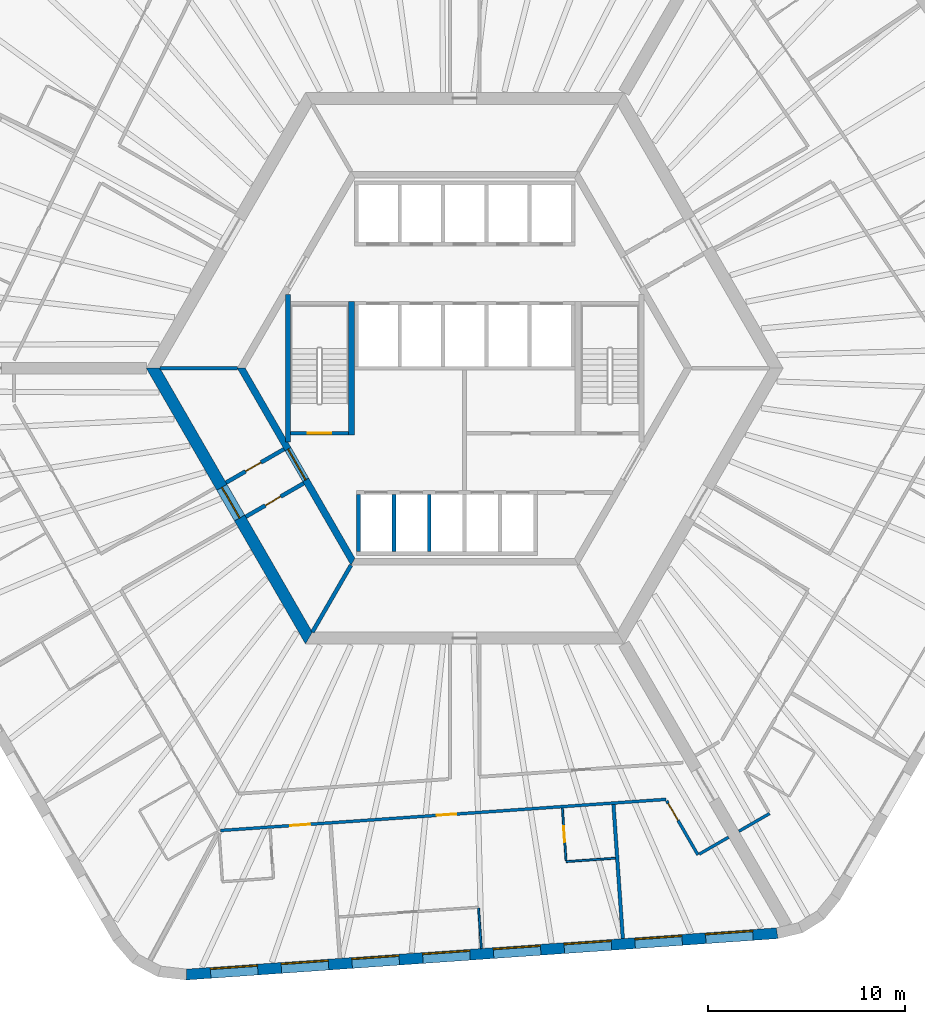
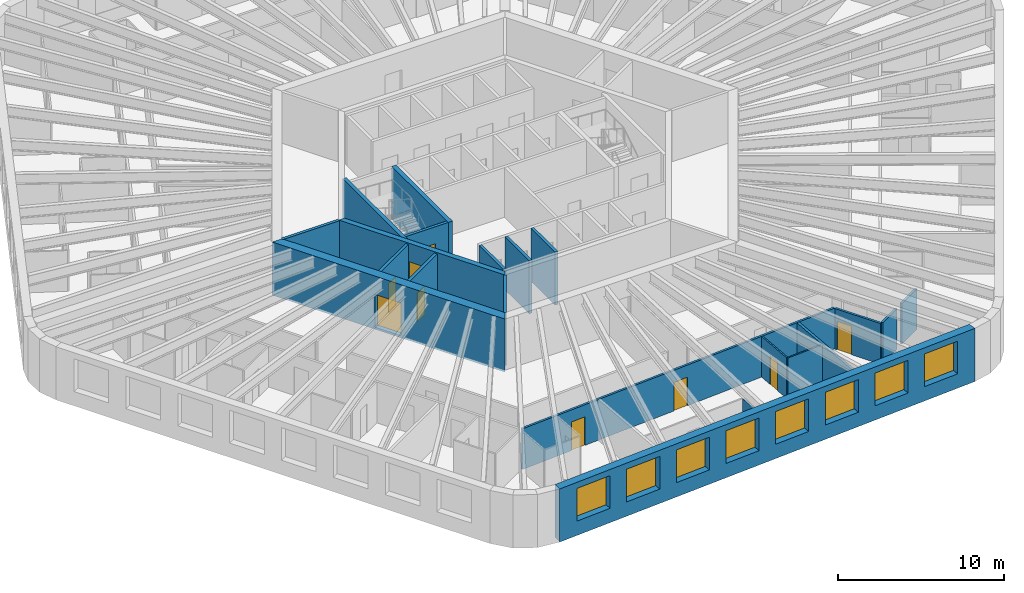
# One storey, part 4 of 12: 21 walls, 9 doors, 8 windows, 17 openings.
"""IFC4 building model written with IfcOpenShell, lengths in metres."""

from ifc_helpers import new_model, si_unit, direction, frame, frame_2d, origin, place, context, subcontext, project, spatial, polyline, rectangle, outline, extrude, material, layer, layer_set, type_object, element, fill, save


model = new_model("IFC4")

# Units and contexts
model_context = context("Model", 3, precision=1e-05, world=origin(), true_north=direction((0.0, 1.0)))
body_context = subcontext(model_context, "Body", "Model", "MODEL_VIEW")
ifc_project = project(units=[si_unit("LENGTHUNIT", "METRE"), si_unit("AREAUNIT", "SQUARE_METRE"), si_unit("VOLUMEUNIT", "CUBIC_METRE"), si_unit("PLANEANGLEUNIT", "RADIAN"), si_unit("MASSUNIT", "GRAM", prefix="KILO")], contexts=[model_context])

# Site, building, storey
site_placement = place(None, origin())
site = spatial("IfcSite", under=ifc_project, at=site_placement, CompositionType="ELEMENT")
building_placement = place(site_placement, origin())
building = spatial("IfcBuilding", under=site, at=building_placement, Name="Tarnside Tower", CompositionType="ELEMENT")
storey_placement = place(building_placement, frame((0.0, 0.0, 53.10009765625)))
storey = spatial("IfcBuildingStorey", under=building, at=storey_placement, Name="L10", CompositionType="ELEMENT", Elevation=53.10009765625)

# Wall
ifc_material_1 = material(Name="Gypsum board partition on steel studs", Category="steel")
ifc_layer_1 = layer(ifc_material_1, 0.10009765625)
ifc_layer_set_1 = layer_set([ifc_layer_1], Name="Bathroom wall 100")
wall_type_1 = type_object("IfcWallType", Name="Bathroom wall 100", PredefinedType="PARTITIONING", material=ifc_layer_set_1)
wall_1_placement = place(storey_placement, frame((7.65283203125, -24.876708984375, 0.0), z_axis=(0.0, 0.0, 1.0), x_axis=(-0.997565196586, -0.069740078583, 0.0)))
element("IfcWall", 1, at=wall_1_placement, inside=storey, type_object=wall_type_1, Name="Bathroom wall 02122", PredefinedType="PARTITIONING", context=body_context, shape_type="SweptSolid", body=[
    extrude(rectangle(XDim=2.510009765625, YDim=0.10009765625, at=frame_2d((1.2548828125, 0.0))), origin(), (0.0, 0.0, 1.0), 2.98779296875),
])

# Wall, opening, door
wall_2_placement = place(storey_placement, frame((5.1455078125, -25.001953125, 0.0), z_axis=(0.0, 0.0, 1.0), x_axis=(-0.069729221413, 0.997565955554, 0.0)))
wall_2 = element("IfcWall", 2, at=wall_2_placement, inside=storey, type_object=wall_type_1, Name="Bathroom wall 02123", PredefinedType="PARTITIONING", context=body_context, shape_type="SweptSolid", body=[
    extrude(rectangle(XDim=2.675048828125, YDim=0.10009765625, at=frame_2d((1.33740234375, 0.0))), origin(), (0.0, 0.0, 1.0), 2.98779296875),
])
opening_1_placement = place(wall_2_placement, frame((0.949951171875, 0.0, 0.0)))
opening_1 = element("IfcOpeningElement", 3, at=opening_1_placement, cuts=wall_2, Name="Opening D-B1", PredefinedType="OPENING", context=body_context, shape_type="SweptSolid", body=[
    extrude(rectangle(XDim=0.800048828125, YDim=2.10009765625, at=frame_2d((0.39990234375, 1.050048828125))), frame((0.0, 0.06005859375, 0.0), z_axis=(0.0, -1.0, 0.0), x_axis=(1.0, 0.0, 0.0)), (0.0, 0.0, 1.0), 0.1201171875),
])
ifc_material_2 = material(Name="Timber door leaf", Category="wood")
door_type_1 = type_object("IfcDoorType", Name="Bathroom door 800", OperationType="NOTDEFINED", PredefinedType="DOOR", material=ifc_material_2)
door_1_placement = place(opening_1_placement, origin())
door_1 = element("IfcDoor", 4, at=door_1_placement, inside=storey, type_object=door_type_1, Name="Bathroom door 02025", OperationType="SINGLE_SWING_RIGHT", OverallHeight=2.10009765625, OverallWidth=0.800048828125, PredefinedType="DOOR", context=body_context, shape_type="SweptSolid", body=[
    extrude(rectangle(XDim=0.800048828125, YDim=2.10009765625, at=frame_2d((0.39990234375, 1.050048828125))), frame((0.0, 0.02490234375, 0.0), z_axis=(0.0, -1.0, 0.0), x_axis=(1.0, 0.0, 0.0)), (0.0, 0.0, 1.0), 0.050048828125),
])
fill(opening_1, door_1)

ifc_material_3 = material(Name="Concrete C50/60", Category="concrete")
ifc_layer_2 = layer(ifc_material_3, 0.35009765625)
ifc_layer_set_2 = layer_set([ifc_layer_2], Name="Core block wall 350 C50/60")
wall_type_2 = type_object("IfcWallType", Name="Core block wall 350 C50/60", PredefinedType="SHEAR", material=ifc_layer_set_2)
wall_3_placement = place(storey_placement, frame((-11.344970703125, 0.0, -0.150146484375), z_axis=(0.0, 0.0, 1.0), x_axis=(0.499995046907, -0.866028263435, 0.0)))
wall_3 = element("IfcWall", 5, at=wall_3_placement, inside=storey, type_object=wall_type_2, Name="L10 core block wall face 3", PredefinedType="SHEAR", context=body_context, shape_type="SweptSolid", body=[
    extrude(outline(polyline([(-0.10107421875, -0.175048828125), (11.44580078125, -0.175048828125), (11.24365234375, 0.175048828125), (0.10107421875, 0.175048828125), (-0.10107421875, -0.175048828125)])), origin(), (0.0, 0.0, 1.0), 3.900146484375),
])
opening_2_placement = place(wall_3_placement, frame((4.74365234375, 0.0, 0.14990234375)))
opening_2 = element("IfcOpeningElement", 6, at=opening_2_placement, cuts=wall_3, Name="Opening CD-FFL", PredefinedType="OPENING", context=body_context, shape_type="SweptSolid", body=[
    extrude(rectangle(XDim=1.800048828125, YDim=2.39990234375, at=frame_2d((0.89990234375, 1.199951171875))), frame((0.0, 0.18505859375, 0.0), z_axis=(0.0, -1.0, 0.0), x_axis=(1.0, 0.0, 0.0)), (0.0, 0.0, 1.0), 0.3701171875),
])
ifc_material_4 = material(Name="Steel fire door", Category="steel")
door_type_2 = type_object("IfcDoorType", Name="Firefighting lobby double door FD60S 1800x2400", OperationType="NOTDEFINED", PredefinedType="DOOR", material=ifc_material_4)
door_2_placement = place(opening_2_placement, origin())
door_2 = element("IfcDoor", 7, at=door_2_placement, inside=storey, type_object=door_type_2, Name="L10 lobby block door P3", OperationType="DOUBLE_DOOR_SINGLE_SWING", OverallHeight=2.39990234375, OverallWidth=1.800048828125, PredefinedType="DOOR", context=body_context, shape_type="SweptSolid", body=[
    extrude(rectangle(XDim=1.800048828125, YDim=2.39990234375, at=frame_2d((0.89990234375, 1.199951171875))), frame((0.0, 0.02490234375, 0.0), z_axis=(0.0, -1.0, 0.0), x_axis=(1.0, 0.0, 0.0)), (0.0, 0.0, 1.0), 0.050048828125),
])
fill(opening_2, door_2)

ifc_material_5 = material(Name="Concrete C40/50", Category="concrete")
ifc_layer_3 = layer(ifc_material_5, 0.199951171875)
ifc_layer_set_3 = layer_set([ifc_layer_3], Name="Core room partition 200 C40/50")
wall_type_3 = type_object("IfcWallType", Name="Core room partition 200 C40/50", PredefinedType="PARTITIONING", material=ifc_layer_set_3)
wall_4_placement = place(storey_placement, frame((-8.1748046875, -5.841064453125, 0.0), z_axis=(0.0, 0.0, 1.0), x_axis=(-0.866020560687, -0.500008388397, 0.0)))
wall_4 = element("IfcWall", 8, at=wall_4_placement, inside=storey, type_object=wall_type_3, Name="L10 core partition AC2L", PredefinedType="PARTITIONING", context=body_context, shape_type="SweptSolid", body=[
    extrude(rectangle(XDim=3.39990234375, YDim=0.199951171875, at=frame_2d((1.699951171875, 0.0))), origin(), (0.0, 0.0, 1.0), 3.64990234375),
])
opening_3_placement = place(wall_4_placement, frame((1.349609375, 0.0, 0.0)))
opening_3 = element("IfcOpeningElement", 9, at=opening_3_placement, cuts=wall_4, Name="Opening CD-room", PredefinedType="OPENING", context=body_context, shape_type="SweptSolid", body=[
    extrude(rectangle(XDim=0.89990234375, YDim=2.10009765625, at=frame_2d((0.449951171875, 1.050048828125))), frame((0.0, 0.10986328125, 0.0), z_axis=(0.0, -1.0, 0.0), x_axis=(1.0, 0.0, 0.0)), (0.0, 0.0, 1.0), 0.219970703125),
])
door_type_3 = type_object("IfcDoorType", Name="Room door FD60 900x2100", OperationType="NOTDEFINED", PredefinedType="DOOR", material=ifc_material_4)
door_3_placement = place(opening_3_placement, origin())
door_3 = element("IfcDoor", 10, at=door_3_placement, inside=storey, type_object=door_type_3, Name="L10 core room door AX2L", OperationType="SINGLE_SWING_LEFT", OverallHeight=2.10009765625, OverallWidth=0.89990234375, PredefinedType="DOOR", context=body_context, shape_type="SweptSolid", body=[
    extrude(rectangle(XDim=0.89990234375, YDim=2.10009765625, at=frame_2d((0.449951171875, 1.050048828125))), frame((0.0, 0.02490234375, 0.0), z_axis=(0.0, -1.0, 0.0), x_axis=(1.0, 0.0, 0.0)), (0.0, 0.0, 1.0), 0.050048828125),
])
fill(opening_3, door_3)

wall_5_placement = place(storey_placement, frame((-9.1748046875, -4.10888671875, 0.0), z_axis=(0.0, 0.0, 1.0), x_axis=(-0.865989465428, -0.500062241894, 0.0)))
wall_5 = element("IfcWall", 11, at=wall_5_placement, inside=storey, type_object=wall_type_3, Name="L10 core partition AC2R", PredefinedType="PARTITIONING", context=body_context, shape_type="SweptSolid", body=[
    extrude(rectangle(XDim=3.39990234375, YDim=0.199951171875, at=frame_2d((1.699951171875, 0.0))), origin(), (0.0, 0.0, 1.0), 3.64990234375),
])
opening_4_placement = place(wall_5_placement, frame((1.3505859375, 0.0, 0.0)))
opening_4 = element("IfcOpeningElement", 12, at=opening_4_placement, cuts=wall_5, Name="Opening CD-room", PredefinedType="OPENING", context=body_context, shape_type="SweptSolid", body=[
    extrude(rectangle(XDim=0.89990234375, YDim=2.10009765625, at=frame_2d((0.449951171875, 1.050048828125))), frame((0.0, 0.10986328125, 0.0), z_axis=(0.0, -1.0, 0.0), x_axis=(1.0, 0.0, 0.0)), (0.0, 0.0, 1.0), 0.219970703125),
])
door_4_placement = place(opening_4_placement, origin())
door_4 = element("IfcDoor", 13, at=door_4_placement, inside=storey, type_object=door_type_3, Name="L10 core room door AX2R", OperationType="SINGLE_SWING_LEFT", OverallHeight=2.10009765625, OverallWidth=0.89990234375, PredefinedType="DOOR", context=body_context, shape_type="SweptSolid", body=[
    extrude(rectangle(XDim=0.89990234375, YDim=2.10009765625, at=frame_2d((0.449951171875, 1.050048828125))), frame((0.0, 0.02490234375, 0.0), z_axis=(0.0, -1.0, 0.0), x_axis=(1.0, 0.0, 0.0)), (0.0, 0.0, 1.0), 0.050048828125),
])
fill(opening_4, door_4)

ifc_material_6 = material(Name="Concrete C80/95", Category="concrete")
ifc_layer_4 = layer(ifc_material_6, 0.60009765625)
ifc_layer_set_4 = layer_set([ifc_layer_4], Name="Core wall Z1 600 C80/95")
wall_type_4 = type_object("IfcWallType", Name="Core wall Z1 600 C80/95", PredefinedType="SHEAR", material=ifc_layer_set_4)
wall_6_placement = place(storey_placement, frame((-15.8193359375, 0.0, -0.150146484375), z_axis=(0.0, 0.0, 1.0), x_axis=(0.499999880136, -0.866025472988, 0.0)))
wall_6 = element("IfcWall", 14, at=wall_6_placement, inside=storey, type_object=wall_type_4, Name="L10 core wall face 3", PredefinedType="SHEAR", context=body_context, shape_type="SweptSolid", body=[
    extrude(outline(polyline([(-0.17333984375, -0.300048828125), (15.99267578125, -0.300048828125), (15.64599609375, 0.300048828125), (0.17333984375, 0.300048828125), (-0.17333984375, -0.300048828125)])), origin(), (0.0, 0.0, 1.0), 3.900146484375),
])
opening_5_placement = place(wall_6_placement, frame((6.980712890625, 0.0, 0.14990234375)))
opening_5 = element("IfcOpeningElement", 15, at=opening_5_placement, cuts=wall_6, Name="Opening CD-FFL", PredefinedType="OPENING", context=body_context, shape_type="SweptSolid", body=[
    extrude(rectangle(XDim=1.800048828125, YDim=2.39990234375, at=frame_2d((0.89990234375, 1.199951171875))), frame((0.0, 0.31005859375, 0.0), z_axis=(0.0, -1.0, 0.0), x_axis=(1.0, 0.0, 0.0)), (0.0, 0.0, 1.0), 0.6201171875),
])
door_5_placement = place(opening_5_placement, origin())
door_5 = element("IfcDoor", 16, at=door_5_placement, inside=storey, type_object=door_type_2, Name="L10 core door P3", OperationType="DOUBLE_DOOR_SINGLE_SWING", OverallHeight=2.39990234375, OverallWidth=1.800048828125, PredefinedType="DOOR", context=body_context, shape_type="SweptSolid", body=[
    extrude(rectangle(XDim=1.800048828125, YDim=2.39990234375, at=frame_2d((0.89990234375, 1.199951171875))), frame((0.0, 0.02490234375, 0.0), z_axis=(0.0, -1.0, 0.0), x_axis=(1.0, 0.0, 0.0)), (0.0, 0.0, 1.0), 0.050048828125),
])
fill(opening_5, door_5)

# Wall, openings, doors
ifc_layer_5 = layer(ifc_material_1, 0.14990234375)
ifc_layer_set_5 = layer_set([ifc_layer_5], Name="Corridor wall 150 EI 60")
wall_type_5 = type_object("IfcWallType", Name="Corridor wall 150 EI 60", PredefinedType="PARTITIONING", material=ifc_layer_set_5)
wall_7_placement = place(storey_placement, frame((-12.400146484375, -23.47216796875, 0.0), z_axis=(0.0, 0.0, 1.0), x_axis=(0.997564133303, 0.069755286163, 0.0)))
wall_7 = element("IfcWall", 17, at=wall_7_placement, inside=storey, type_object=wall_type_5, Name="Corridor wall 02032", PredefinedType="PARTITIONING", context=body_context, shape_type="SweptSolid", body=[
    extrude(rectangle(XDim=22.669189453125, YDim=0.14990234375, at=frame_2d((11.33447265625, 0.0))), origin(), (0.0, 0.0, 1.0), 2.98779296875),
])
opening_6_placement = place(wall_7_placement, frame((3.556396484375, 0.0, 0.0)))
opening_6 = element("IfcOpeningElement", 18, at=opening_6_placement, cuts=wall_7, Name="Opening D-E1", PredefinedType="OPENING", context=body_context, shape_type="SweptSolid", body=[
    extrude(rectangle(XDim=1.0, YDim=2.10009765625, at=frame_2d((0.5, 1.050048828125))), frame((0.0, 0.0849609375, 0.0), z_axis=(0.0, -1.0, 0.0), x_axis=(1.0, 0.0, 0.0)), (0.0, 0.0, 1.0), 0.169921875),
])
opening_7_placement = place(wall_7_placement, frame((10.996337890625, 0.0, 0.0)))
opening_7 = element("IfcOpeningElement", 19, at=opening_7_placement, cuts=wall_7, Name="Opening D-E1", PredefinedType="OPENING", context=body_context, shape_type="SweptSolid", body=[
    extrude(rectangle(XDim=1.0, YDim=2.10009765625, at=frame_2d((0.5, 1.050048828125))), frame((0.0, 0.0849609375, 0.0), z_axis=(0.0, -1.0, 0.0), x_axis=(1.0, 0.0, 0.0)), (0.0, 0.0, 1.0), 0.169921875),
])
door_type_4 = type_object("IfcDoorType", Name="Unit entrance door 1000 FD30S", OperationType="NOTDEFINED", PredefinedType="DOOR", material=ifc_material_2)
door_6_placement = place(opening_6_placement, origin())
door_6 = element("IfcDoor", 20, at=door_6_placement, inside=storey, type_object=door_type_4, Name="Unit door 02022", OperationType="SINGLE_SWING_LEFT", OverallHeight=2.10009765625, OverallWidth=1.0, PredefinedType="DOOR", context=body_context, shape_type="SweptSolid", body=[
    extrude(rectangle(XDim=1.0, YDim=2.10009765625, at=frame_2d((0.5, 1.050048828125))), frame((0.0, 0.02490234375, 0.0), z_axis=(0.0, -1.0, 0.0), x_axis=(1.0, 0.0, 0.0)), (0.0, 0.0, 1.0), 0.050048828125),
])
fill(opening_6, door_6)
door_7_placement = place(opening_7_placement, origin())
door_7 = element("IfcDoor", 21, at=door_7_placement, inside=storey, type_object=door_type_4, Name="Unit door 02024", OperationType="SINGLE_SWING_RIGHT", OverallHeight=2.10009765625, OverallWidth=1.0, PredefinedType="DOOR", context=body_context, shape_type="SweptSolid", body=[
    extrude(rectangle(XDim=1.0, YDim=2.10009765625, at=frame_2d((0.5, 1.050048828125))), frame((0.0, 0.02490234375, 0.0), z_axis=(0.0, -1.0, 0.0), x_axis=(1.0, 0.0, 0.0)), (0.0, 0.0, 1.0), 0.050048828125),
])
fill(opening_7, door_7)

# Wall, opening, door
wall_8_placement = place(storey_placement, frame((10.255615234375, -21.963134765625, 0.0), z_axis=(0.0, 0.0, 1.0), x_axis=(0.499980071345, -0.866036909293, 0.0)))
wall_8 = element("IfcWall", 22, at=wall_8_placement, inside=storey, type_object=wall_type_5, Name="Corridor wall 02037", PredefinedType="PARTITIONING", context=body_context, shape_type="SweptSolid", body=[
    extrude(rectangle(XDim=3.172119140625, YDim=0.14990234375, at=frame_2d((1.5859375, 0.0))), origin(), (0.0, 0.0, 1.0), 2.98779296875),
])
opening_8_placement = place(wall_8_placement, frame((0.14990234375, 0.0, 0.0)))
opening_8 = element("IfcOpeningElement", 23, at=opening_8_placement, cuts=wall_8, Name="Opening D-E1", PredefinedType="OPENING", context=body_context, shape_type="SweptSolid", body=[
    extrude(rectangle(XDim=1.0, YDim=2.10009765625, at=frame_2d((0.5, 1.050048828125))), frame((0.0, 0.0849609375, 0.0), z_axis=(0.0, -1.0, 0.0), x_axis=(1.0, 0.0, 0.0)), (0.0, 0.0, 1.0), 0.169921875),
])
door_8_placement = place(opening_8_placement, origin())
door_8 = element("IfcDoor", 24, at=door_8_placement, inside=storey, type_object=door_type_4, Name="Unit door 02027", OperationType="SINGLE_SWING_RIGHT", OverallHeight=2.10009765625, OverallWidth=1.0, PredefinedType="DOOR", context=body_context, shape_type="SweptSolid", body=[
    extrude(rectangle(XDim=1.0, YDim=2.10009765625, at=frame_2d((0.5, 1.050048828125))), frame((0.0, 0.02490234375, 0.0), z_axis=(0.0, -1.0, 0.0), x_axis=(1.0, 0.0, 0.0)), (0.0, 0.0, 1.0), 0.050048828125),
])
fill(opening_8, door_8)

# Walls
wall_9_placement = place(storey_placement, frame((11.906494140625, -24.672607421875, 0.0), z_axis=(0.0, 0.0, 1.0), x_axis=(0.866013532718, 0.500020560727, 0.0)))
element("IfcWall", 25, at=wall_9_placement, inside=storey, type_object=wall_type_5, Name="Corridor wall 02038", PredefinedType="PARTITIONING", context=body_context, shape_type="SweptSolid", body=[
    extrude(rectangle(XDim=1.72509765625, YDim=0.14990234375, at=frame_2d((0.862548828125, 0.0))), origin(), (0.0, 0.0, 1.0), 2.98779296875),
])
wall_10_placement = place(storey_placement, frame((13.919921875, -23.510009765625, 0.0), z_axis=(0.0, 0.0, 1.0), x_axis=(0.866047807691, 0.499961193289, 0.0)))
element("IfcWall", 26, at=wall_10_placement, inside=storey, type_object=wall_type_5, Name="Corridor wall 02048", PredefinedType="PARTITIONING", context=body_context, shape_type="SweptSolid", body=[
    extrude(rectangle(XDim=1.800048828125, YDim=0.14990234375, at=frame_2d((0.89990234375, 0.0))), origin(), (0.0, 0.0, 1.0), 2.98779296875),
])
ifc_layer_6 = layer(ifc_material_1, 0.179931640625)
ifc_layer_set_6 = layer_set([ifc_layer_6], Name="Demising wall 180 EI 60")
wall_type_6 = type_object("IfcWallType", Name="Demising wall 180 EI 60", PredefinedType="PARTITIONING", material=ifc_layer_set_6)
wall_11_placement = place(storey_placement, frame((8.028564453125, -28.96044921875, 0.0), z_axis=(0.0, 0.0, 1.0), x_axis=(-0.069754729296, 0.997564172242, 0.0)))
element("IfcWall", 27, at=wall_11_placement, inside=storey, type_object=wall_type_6, Name="Demising wall 02126", PredefinedType="PARTITIONING", context=body_context, shape_type="SweptSolid", body=[
    extrude(rectangle(XDim=6.824951171875, YDim=0.179931640625, at=frame_2d((3.41259765625, 0.0))), origin(), (0.0, 0.0, 1.0), 2.98779296875),
])
ifc_layer_7 = layer(ifc_material_5, 0.199951171875)
ifc_layer_set_7 = layer_set([ifc_layer_7], Name="Lift shaft wall 200 C40/50")
wall_type_7 = type_object("IfcWallType", Name="Lift shaft wall 200 C40/50", PredefinedType="SHEAR", material=ifc_layer_set_7)
for number, where, z_axis, x_axis, name in (
    (28, (-5.39990234375, -9.300048828125, -0.25), (0.0, 0.0, 1.0), (0.0, 1.0, 0.0), "L10 lift shaft partition R41"),
    (29, (-3.60009765625, -9.300048828125, -0.25), (0.0, 0.0, 1.0), (0.0, 1.0, 0.0), "L10 lift shaft partition R42"),
    (30, (-1.800048828125, -9.300048828125, -0.25), (0.0, 0.0, 1.0), (0.0, 1.0, 0.0), "L10 lift shaft partition R43"),
):
    element("IfcWall", number, at=place(storey_placement, frame(where, z_axis=z_axis, x_axis=x_axis)), inside=storey, type_object=wall_type_7, Name=name, PredefinedType="SHEAR", context=body_context, shape_type="SweptSolid", body=[
        extrude(rectangle(XDim=2.900146484375, YDim=0.199951171875, at=frame_2d((1.4501953125, 0.0))), origin(), (0.0, 0.0, 1.0), 3.89990234375),
    ])
wall_12_placement = place(storey_placement, frame((-11.547119140625, 0.0, -0.150146484375), z_axis=(0.0, 0.0, 1.0), x_axis=(-1.0, 0.0, 0.0)))
element("IfcWall", 31, at=wall_12_placement, inside=storey, type_object=wall_type_7, Name="L10 core partition AR180", PredefinedType="SHEAR", context=body_context, shape_type="SweptSolid", body=[
    extrude(rectangle(XDim=3.92578125, YDim=0.199951171875, at=frame_2d((1.962890625, 0.0))), origin(), (0.0, 0.0, 1.0), 3.900146484375),
])
wall_13_placement = place(storey_placement, frame((-5.7734375, -10.0, -0.150146484375), z_axis=(0.0, 0.0, 1.0), x_axis=(-0.500038251005, -0.86600331843, 0.0)))
element("IfcWall", 32, at=wall_13_placement, inside=storey, type_object=wall_type_7, Name="L10 core partition AR240", PredefinedType="SHEAR", context=body_context, shape_type="SweptSolid", body=[
    extrude(rectangle(XDim=3.926025390625, YDim=0.199951171875, at=frame_2d((1.962890625, 0.0))), origin(), (0.0, 0.0, 1.0), 3.900146484375),
])

# Wall, opening, door
wall_14_placement = place(storey_placement, frame((-8.85009765625, -3.300048828125, -0.25), z_axis=(0.0, 0.0, 1.0), x_axis=(1.0, 0.0, 0.0)))
wall_14 = element("IfcWall", 33, at=wall_14_placement, inside=storey, type_object=wall_type_7, Name="L10 stair 2 enclosure cap wall s", PredefinedType="SHEAR", context=body_context, shape_type="SweptSolid", body=[
    extrude(rectangle(XDim=2.9501953125, YDim=0.199951171875, at=frame_2d((1.47509765625, 0.0))), origin(), (0.0, 0.0, 1.0), 3.89990234375),
])
opening_9_placement = place(wall_14_placement, frame((0.875, 0.0, 0.25)))
opening_9 = element("IfcOpeningElement", 34, at=opening_9_placement, cuts=wall_14, Name="Opening CD-STR", PredefinedType="OPENING", context=body_context, shape_type="SweptSolid", body=[
    extrude(rectangle(XDim=1.199951171875, YDim=2.39990234375, at=frame_2d((0.60009765625, 1.199951171875))), frame((0.0, 0.10986328125, 0.0), z_axis=(0.0, -1.0, 0.0), x_axis=(1.0, 0.0, 0.0)), (0.0, 0.0, 1.0), 0.219970703125),
])
door_type_5 = type_object("IfcDoorType", Name="Stair door FD60S 1200x2400", OperationType="NOTDEFINED", PredefinedType="DOOR", material=ifc_material_4)
door_9_placement = place(opening_9_placement, origin())
door_9 = element("IfcDoor", 35, at=door_9_placement, inside=storey, type_object=door_type_5, Name="L10 stair 2 door", OperationType="SINGLE_SWING_LEFT", OverallHeight=2.39990234375, OverallWidth=1.199951171875, PredefinedType="DOOR", context=body_context, shape_type="SweptSolid", body=[
    extrude(rectangle(XDim=1.199951171875, YDim=2.39990234375, at=frame_2d((0.60009765625, 1.199951171875))), frame((0.0, 0.02490234375, 0.0), z_axis=(0.0, -1.0, 0.0), x_axis=(1.0, 0.0, 0.0)), (0.0, 0.0, 1.0), 0.050048828125),
])
fill(opening_9, door_9)

# Walls
ifc_layer_8 = layer(ifc_material_1, 0.10009765625)
ifc_layer_set_8 = layer_set([ifc_layer_8], Name="Partition 100")
wall_type_8 = type_object("IfcWallType", Name="Partition 100", PredefinedType="PARTITIONING", material=ifc_layer_set_8)
wall_15_placement = place(storey_placement, frame((0.703125, -27.417724609375, 0.0), z_axis=(0.0, 0.0, 1.0), x_axis=(0.069791202247, -0.997561621199, 0.0)))
element("IfcWall", 36, at=wall_15_placement, inside=storey, type_object=wall_type_8, Name="Partition wall 02125", PredefinedType="PARTITIONING", context=body_context, shape_type="SweptSolid", body=[
    extrude(rectangle(XDim=2.0498046875, YDim=0.10009765625, at=frame_2d((1.02490234375, 0.0))), origin(), (0.0, 0.0, 1.0), 2.98779296875),
])
ifc_layer_9 = layer(ifc_material_5, 0.25)
ifc_layer_set_9 = layer_set([ifc_layer_9], Name="Stair enclosure wall 250 C40/50")
wall_type_9 = type_object("IfcWallType", Name="Stair enclosure wall 250 C40/50", PredefinedType="SHEAR", material=ifc_layer_set_9)
wall_16_placement = place(storey_placement, frame((-8.97509765625, -3.7548828125, -0.25), z_axis=(0.0, 0.0, 1.0), x_axis=(0.0, 1.0, 0.0)))
element("IfcWall", 37, at=wall_16_placement, inside=storey, type_object=wall_type_9, Name="L10 stair 2 enclosure wall outer", PredefinedType="SHEAR", context=body_context, shape_type="SweptSolid", body=[
    extrude(rectangle(XDim=7.509765625, YDim=0.25, at=frame_2d((3.7548828125, 0.0))), origin(), (0.0, 0.0, 1.0), 3.89990234375),
])
ifc_layer_10 = layer(ifc_material_5, 0.300048828125)
ifc_layer_set_10 = layer_set([ifc_layer_10], Name="Stair enclosure wall 300 C40/50")
wall_type_10 = type_object("IfcWallType", Name="Stair enclosure wall 300 C40/50", PredefinedType="SHEAR", material=ifc_layer_set_10)
wall_17_placement = place(storey_placement, frame((-5.75, -3.39990234375, -0.25), z_axis=(0.0, 0.0, 1.0), x_axis=(0.0, 1.0, 0.0)))
element("IfcWall", 38, at=wall_17_placement, inside=storey, type_object=wall_type_10, Name="L10 stair 2 enclosure wall inner", PredefinedType="SHEAR", context=body_context, shape_type="SweptSolid", body=[
    extrude(rectangle(XDim=6.7998046875, YDim=0.300048828125, at=frame_2d((3.39990234375, 0.0))), origin(), (0.0, 0.0, 1.0), 3.89990234375),
])

# Wall, openings, windows
ifc_material_7 = material(Name="Facing brick", Category="masonry")
ifc_layer_11 = layer(ifc_material_7, 0.10205078125)
ifc_material_8 = material(Name="Concrete C60/75 precast", Category="concrete")
ifc_layer_12 = layer(ifc_material_8, 0.347900390625)
ifc_material_9 = material(Name="Mineral wool insulation")
ifc_layer_13 = layer(ifc_material_9, 0.10009765625)
ifc_layer_set_11 = layer_set([ifc_layer_11, ifc_layer_12, ifc_layer_13], Name="Tube wall 550 brick faced")
wall_type_11 = type_object("IfcWallType", Name="Tube wall 550 brick faced", PredefinedType="SOLIDWALL", material=ifc_layer_set_11)
wall_18_placement = place(storey_placement, frame((-14.133544921875, -30.785888671875, -0.150146484375), z_axis=(0.0, 0.0, 1.0), x_axis=(0.997564037441, 0.069756657061, 0.0)))
wall_18 = element("IfcWall", 39, at=wall_18_placement, inside=storey, type_object=wall_type_11, Name="Tube wall L10 F4 flush 12", PredefinedType="SOLIDWALL", context=body_context, shape_type="SweptSolid", body=[
    extrude(outline(polyline([(-0.025634765625, -0.27490234375), (30.093505859375, -0.27490234375), (30.048583984375, 0.27490234375), (0.025634765625, 0.27490234375), (-0.025634765625, -0.27490234375)])), origin(), (0.0, 0.0, 1.0), 3.900146484375),
])
opening_10_placement = place(wall_18_placement, frame((1.235595703125, 0.0, 1.050048828125)))
opening_10 = element("IfcOpeningElement", 40, at=opening_10_placement, cuts=wall_18, Name="Opening WH", PredefinedType="OPENING", context=body_context, shape_type="SweptSolid", body=[
    extrude(rectangle(XDim=2.39990234375, YDim=2.39990234375, at=frame_2d((1.199951171875, 1.199951171875))), frame((0.0, 0.28515625, 0.0), z_axis=(0.0, -1.0, 0.0), x_axis=(1.0, 0.0, 0.0)), (0.0, 0.0, 1.0), 0.570068359375),
])
opening_11_placement = place(wall_18_placement, frame((4.83544921875, 0.0, 1.050048828125)))
opening_11 = element("IfcOpeningElement", 41, at=opening_11_placement, cuts=wall_18, Name="Opening WH", PredefinedType="OPENING", context=body_context, shape_type="SweptSolid", body=[
    extrude(rectangle(XDim=2.39990234375, YDim=2.39990234375, at=frame_2d((1.199951171875, 1.199951171875))), frame((0.0, 0.28515625, 0.0), z_axis=(0.0, -1.0, 0.0), x_axis=(1.0, 0.0, 0.0)), (0.0, 0.0, 1.0), 0.570068359375),
])
opening_12_placement = place(wall_18_placement, frame((8.435546875, 0.0, 1.050048828125)))
opening_12 = element("IfcOpeningElement", 42, at=opening_12_placement, cuts=wall_18, Name="Opening WH", PredefinedType="OPENING", context=body_context, shape_type="SweptSolid", body=[
    extrude(rectangle(XDim=2.39990234375, YDim=2.39990234375, at=frame_2d((1.199951171875, 1.199951171875))), frame((0.0, 0.28515625, 0.0), z_axis=(0.0, -1.0, 0.0), x_axis=(1.0, 0.0, 0.0)), (0.0, 0.0, 1.0), 0.570068359375),
])
opening_13_placement = place(wall_18_placement, frame((12.035400390625, 0.0, 1.050048828125)))
opening_13 = element("IfcOpeningElement", 43, at=opening_13_placement, cuts=wall_18, Name="Opening WH", PredefinedType="OPENING", context=body_context, shape_type="SweptSolid", body=[
    extrude(rectangle(XDim=2.39990234375, YDim=2.39990234375, at=frame_2d((1.199951171875, 1.199951171875))), frame((0.0, 0.28515625, 0.0), z_axis=(0.0, -1.0, 0.0), x_axis=(1.0, 0.0, 0.0)), (0.0, 0.0, 1.0), 0.570068359375),
])
opening_14_placement = place(wall_18_placement, frame((15.635498046875, 0.0, 1.050048828125)))
opening_14 = element("IfcOpeningElement", 44, at=opening_14_placement, cuts=wall_18, Name="Opening WH", PredefinedType="OPENING", context=body_context, shape_type="SweptSolid", body=[
    extrude(rectangle(XDim=2.39990234375, YDim=2.39990234375, at=frame_2d((1.199951171875, 1.199951171875))), frame((0.0, 0.28515625, 0.0), z_axis=(0.0, -1.0, 0.0), x_axis=(1.0, 0.0, 0.0)), (0.0, 0.0, 1.0), 0.570068359375),
])
opening_15_placement = place(wall_18_placement, frame((19.235595703125, 0.0, 1.050048828125)))
opening_15 = element("IfcOpeningElement", 45, at=opening_15_placement, cuts=wall_18, Name="Opening WH", PredefinedType="OPENING", context=body_context, shape_type="SweptSolid", body=[
    extrude(rectangle(XDim=2.39990234375, YDim=2.39990234375, at=frame_2d((1.199951171875, 1.199951171875))), frame((0.0, 0.28515625, 0.0), z_axis=(0.0, -1.0, 0.0), x_axis=(1.0, 0.0, 0.0)), (0.0, 0.0, 1.0), 0.570068359375),
])
opening_16_placement = place(wall_18_placement, frame((22.83544921875, 0.0, 1.050048828125)))
opening_16 = element("IfcOpeningElement", 46, at=opening_16_placement, cuts=wall_18, Name="Opening WH", PredefinedType="OPENING", context=body_context, shape_type="SweptSolid", body=[
    extrude(rectangle(XDim=2.39990234375, YDim=2.39990234375, at=frame_2d((1.199951171875, 1.199951171875))), frame((0.0, 0.28515625, 0.0), z_axis=(0.0, -1.0, 0.0), x_axis=(1.0, 0.0, 0.0)), (0.0, 0.0, 1.0), 0.570068359375),
])
opening_17_placement = place(wall_18_placement, frame((26.435546875, 0.0, 1.050048828125)))
opening_17 = element("IfcOpeningElement", 47, at=opening_17_placement, cuts=wall_18, Name="Opening WH", PredefinedType="OPENING", context=body_context, shape_type="SweptSolid", body=[
    extrude(rectangle(XDim=2.39990234375, YDim=2.39990234375, at=frame_2d((1.199951171875, 1.199951171875))), frame((0.0, 0.28515625, 0.0), z_axis=(0.0, -1.0, 0.0), x_axis=(1.0, 0.0, 0.0)), (0.0, 0.0, 1.0), 0.570068359375),
])
ifc_material_10 = material(Name="Aluminium-framed double glazing", Category="aluminium")
window_type = type_object("IfcWindowType", Name="Hotel window 2400 x 2400", PartitioningType="DOUBLE_PANEL_VERTICAL", PredefinedType="WINDOW", material=ifc_material_10)
window_1_placement = place(opening_10_placement, frame((0.0, 0.205078125, 0.0)))
window_1 = element("IfcWindow", 48, at=window_1_placement, inside=storey, type_object=window_type, Name="E.WN.L10.F4.00", OverallHeight=2.39990234375, OverallWidth=2.39990234375, PartitioningType="DOUBLE_PANEL_VERTICAL", PredefinedType="WINDOW", context=body_context, shape_type="SweptSolid", body=[
    extrude(rectangle(XDim=2.39990234375, YDim=2.39990234375, at=frame_2d((1.199951171875, 1.199951171875))), frame((0.0, 0.030029296875, 0.0), z_axis=(0.0, -1.0, 0.0), x_axis=(1.0, 0.0, 0.0)), (0.0, 0.0, 1.0), 0.06005859375),
])
fill(opening_10, window_1)
window_2_placement = place(opening_11_placement, frame((0.0, 0.205078125, 0.0)))
window_2 = element("IfcWindow", 49, at=window_2_placement, inside=storey, type_object=window_type, Name="E.WN.L10.F4.01", OverallHeight=2.39990234375, OverallWidth=2.39990234375, PartitioningType="DOUBLE_PANEL_VERTICAL", PredefinedType="WINDOW", context=body_context, shape_type="SweptSolid", body=[
    extrude(rectangle(XDim=2.39990234375, YDim=2.39990234375, at=frame_2d((1.199951171875, 1.199951171875))), frame((0.0, 0.030029296875, 0.0), z_axis=(0.0, -1.0, 0.0), x_axis=(1.0, 0.0, 0.0)), (0.0, 0.0, 1.0), 0.06005859375),
])
fill(opening_11, window_2)
window_3_placement = place(opening_12_placement, frame((0.0, 0.205078125, 0.0)))
window_3 = element("IfcWindow", 50, at=window_3_placement, inside=storey, type_object=window_type, Name="E.WN.L10.F4.02", OverallHeight=2.39990234375, OverallWidth=2.39990234375, PartitioningType="DOUBLE_PANEL_VERTICAL", PredefinedType="WINDOW", context=body_context, shape_type="SweptSolid", body=[
    extrude(rectangle(XDim=2.39990234375, YDim=2.39990234375, at=frame_2d((1.199951171875, 1.199951171875))), frame((0.0, 0.030029296875, 0.0), z_axis=(0.0, -1.0, 0.0), x_axis=(1.0, 0.0, 0.0)), (0.0, 0.0, 1.0), 0.06005859375),
])
fill(opening_12, window_3)
window_4_placement = place(opening_13_placement, frame((0.0, 0.205078125, 0.0)))
window_4 = element("IfcWindow", 51, at=window_4_placement, inside=storey, type_object=window_type, Name="E.WN.L10.F4.03", OverallHeight=2.39990234375, OverallWidth=2.39990234375, PartitioningType="DOUBLE_PANEL_VERTICAL", PredefinedType="WINDOW", context=body_context, shape_type="SweptSolid", body=[
    extrude(rectangle(XDim=2.39990234375, YDim=2.39990234375, at=frame_2d((1.199951171875, 1.199951171875))), frame((0.0, 0.030029296875, 0.0), z_axis=(0.0, -1.0, 0.0), x_axis=(1.0, 0.0, 0.0)), (0.0, 0.0, 1.0), 0.06005859375),
])
fill(opening_13, window_4)
window_5_placement = place(opening_14_placement, frame((0.0, 0.205078125, 0.0)))
window_5 = element("IfcWindow", 52, at=window_5_placement, inside=storey, type_object=window_type, Name="E.WN.L10.F4.04", OverallHeight=2.39990234375, OverallWidth=2.39990234375, PartitioningType="DOUBLE_PANEL_VERTICAL", PredefinedType="WINDOW", context=body_context, shape_type="SweptSolid", body=[
    extrude(rectangle(XDim=2.39990234375, YDim=2.39990234375, at=frame_2d((1.199951171875, 1.199951171875))), frame((0.0, 0.030029296875, 0.0), z_axis=(0.0, -1.0, 0.0), x_axis=(1.0, 0.0, 0.0)), (0.0, 0.0, 1.0), 0.06005859375),
])
fill(opening_14, window_5)
window_6_placement = place(opening_15_placement, frame((0.0, 0.205078125, 0.0)))
window_6 = element("IfcWindow", 53, at=window_6_placement, inside=storey, type_object=window_type, Name="E.WN.L10.F4.05", OverallHeight=2.39990234375, OverallWidth=2.39990234375, PartitioningType="DOUBLE_PANEL_VERTICAL", PredefinedType="WINDOW", context=body_context, shape_type="SweptSolid", body=[
    extrude(rectangle(XDim=2.39990234375, YDim=2.39990234375, at=frame_2d((1.199951171875, 1.199951171875))), frame((0.0, 0.030029296875, 0.0), z_axis=(0.0, -1.0, 0.0), x_axis=(1.0, 0.0, 0.0)), (0.0, 0.0, 1.0), 0.06005859375),
])
fill(opening_15, window_6)
window_7_placement = place(opening_16_placement, frame((0.0, 0.205078125, 0.0)))
window_7 = element("IfcWindow", 54, at=window_7_placement, inside=storey, type_object=window_type, Name="E.WN.L10.F4.06", OverallHeight=2.39990234375, OverallWidth=2.39990234375, PartitioningType="DOUBLE_PANEL_VERTICAL", PredefinedType="WINDOW", context=body_context, shape_type="SweptSolid", body=[
    extrude(rectangle(XDim=2.39990234375, YDim=2.39990234375, at=frame_2d((1.199951171875, 1.199951171875))), frame((0.0, 0.030029296875, 0.0), z_axis=(0.0, -1.0, 0.0), x_axis=(1.0, 0.0, 0.0)), (0.0, 0.0, 1.0), 0.06005859375),
])
fill(opening_16, window_7)
window_8_placement = place(opening_17_placement, frame((0.0, 0.205078125, 0.0)))
window_8 = element("IfcWindow", 55, at=window_8_placement, inside=storey, type_object=window_type, Name="E.WN.L10.F4.07", OverallHeight=2.39990234375, OverallWidth=2.39990234375, PartitioningType="DOUBLE_PANEL_VERTICAL", PredefinedType="WINDOW", context=body_context, shape_type="SweptSolid", body=[
    extrude(rectangle(XDim=2.39990234375, YDim=2.39990234375, at=frame_2d((1.199951171875, 1.199951171875))), frame((0.0, 0.030029296875, 0.0), z_axis=(0.0, -1.0, 0.0), x_axis=(1.0, 0.0, 0.0)), (0.0, 0.0, 1.0), 0.06005859375),
])
fill(opening_17, window_8)

save(model, "model.ifc")
